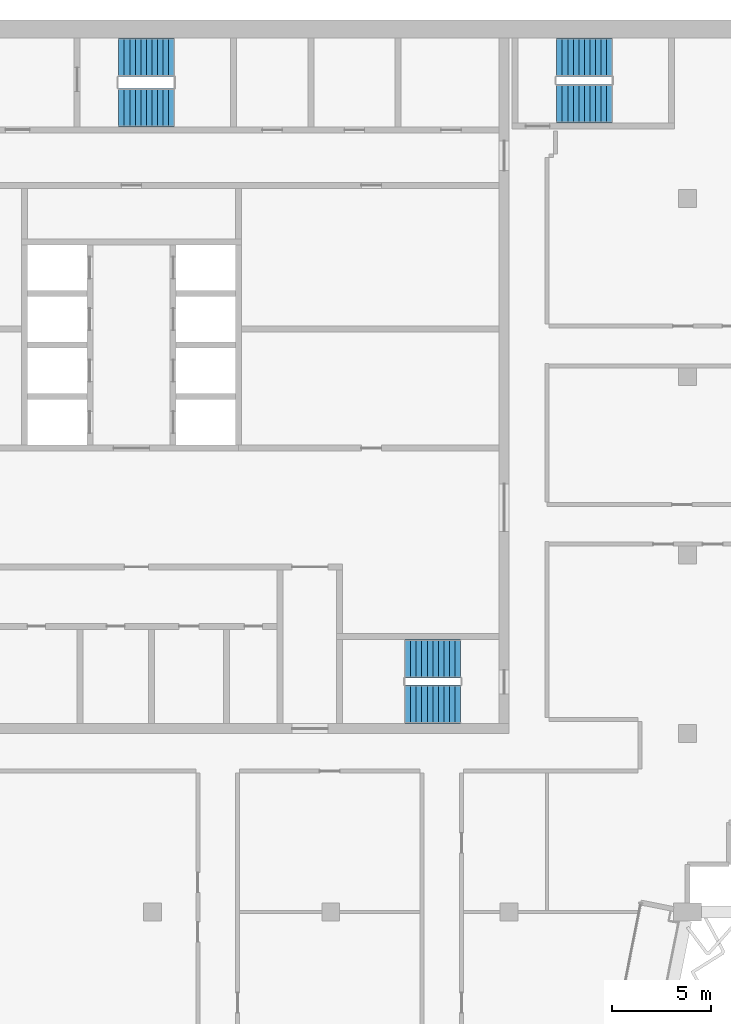
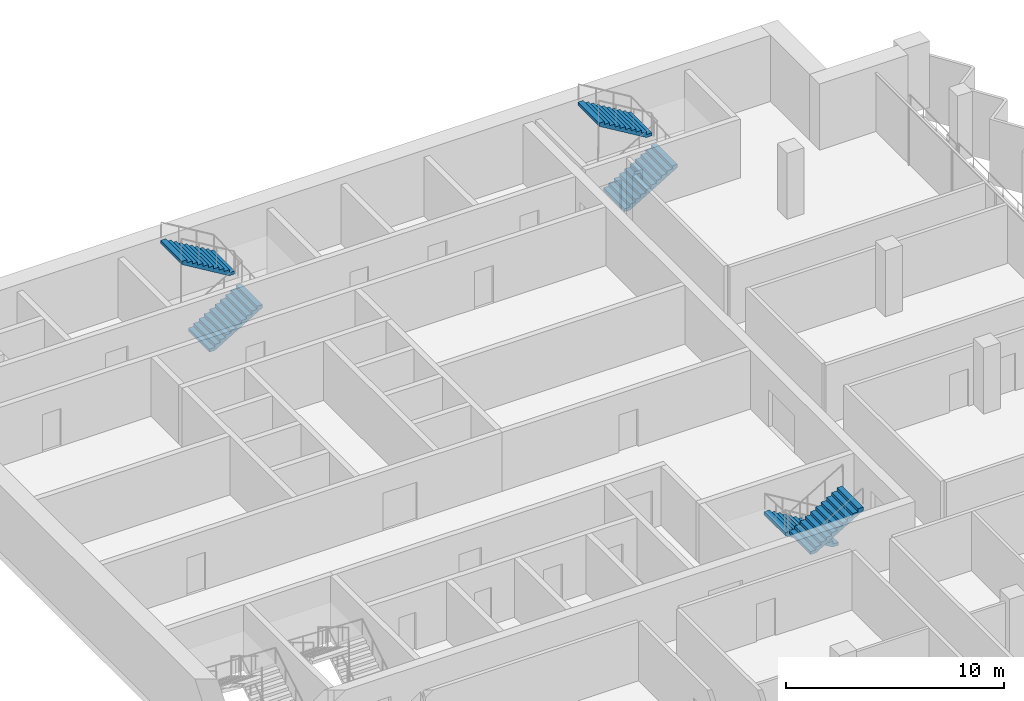
# One storey, part 11 of 14: 6 stair flights, 3 elements without a shape of their own.
"""IFC4 building model written with IfcOpenShell, lengths in metres."""

from ifc_helpers import new_model, si_unit, direction, frame, origin, place, context, subcontext, project, spatial, polyline, outline, extrude, material, type_object, element, aggregate, save


model = new_model("IFC4")

# Units and contexts
model_context = context("Model", 3, precision=1e-05, world=origin(), true_north=direction((0.0, 1.0)))
body_context = subcontext(model_context, "Body", "Model", "MODEL_VIEW")
ifc_project = project(units=[si_unit("LENGTHUNIT", "METRE"), si_unit("AREAUNIT", "SQUARE_METRE"), si_unit("VOLUMEUNIT", "CUBIC_METRE"), si_unit("PLANEANGLEUNIT", "RADIAN"), si_unit("MASSUNIT", "GRAM", prefix="KILO")], contexts=[model_context])

# Site, building, storey
site_placement = place(None, origin())
site = spatial("IfcSite", under=ifc_project, at=site_placement, CompositionType="ELEMENT")
building_placement = place(site_placement, origin())
building = spatial("IfcBuilding", under=site, at=building_placement, Name="Hunhe Ridgeline Campus", CompositionType="ELEMENT")
storey_placement = place(building_placement, frame((0.0, 0.0, 288.199951171875)))
storey = spatial("IfcBuildingStorey", under=building, at=storey_placement, Name="L74", CompositionType="ELEMENT", Elevation=288.199951171875)

# Stair, stair flights
ifc_material = material(Name="Concrete C40", Category="concrete")
stair_type = type_object("IfcStairType", Name="Reinforced concrete dog-leg stair 1950 Concrete C40", PredefinedType="HALF_TURN_STAIR", material=ifc_material)
stair_1_placement = place(storey_placement, origin())
stair_1 = element("IfcStair", 1, at=stair_1_placement, inside=storey, type_object=stair_type, Name="L74 S1", PredefinedType="HALF_TURN_STAIR")
stair_flight_type = type_object("IfcStairFlightType", Name="Reinforced concrete stair flight 1950 Concrete C40", PredefinedType="STRAIGHT", material=ifc_material)
stair_flight_1_placement = place(storey_placement, frame((16.300048828125, 94.574951171875, 0.0), z_axis=(0.0, 0.0, 1.0), x_axis=(1.0, 0.0, 0.0)))
stair_flight_1 = element("IfcStairFlight", 2, at=stair_flight_1_placement, type_object=stair_flight_type, Name="ST1 flight 1", NumberOfRisers=11, NumberOfTreads=10, PredefinedType="STRAIGHT", RiserHeight=0.168181818, TreadLength=0.28, context=body_context, shape_type="SweptSolid", body=[
    extrude(outline(polyline([(0.0, 0.0), (0.0, 0.168212890625), (0.280029296875, 0.168212890625), (0.280029296875, 0.33642578125), (0.56005859375, 0.33642578125), (0.56005859375, 0.504638671875), (0.840087890625, 0.504638671875), (0.840087890625, 0.672607421875), (1.1201171875, 0.672607421875), (1.1201171875, 0.8408203125), (1.39990234375, 0.8408203125), (1.39990234375, 1.009033203125), (1.679931640625, 1.009033203125), (1.679931640625, 1.17724609375), (1.9599609375, 1.17724609375), (1.9599609375, 1.345458984375), (2.239990234375, 1.345458984375), (2.239990234375, 1.513671875), (2.52001953125, 1.513671875), (2.52001953125, 1.681884765625), (2.800048828125, 1.681884765625), (2.800048828125, 1.85009765625), (2.800048828125, 1.5068359375), (0.291015625, 0.0), (0.0, 0.0)])), frame((0.0, 0.97509765625, 0.0), z_axis=(0.0, -1.0, 0.0), x_axis=(1.0, 0.0, 0.0)), (0.0, 0.0, 1.0), 1.949951171875),
    extrude(outline(polyline([(0.030029296875, 0.030029296875), (0.030029296875, 0.13818359375), (0.31005859375, 0.13818359375), (0.31005859375, 0.306396484375), (0.590087890625, 0.306396484375), (0.590087890625, 0.474609375), (0.8701171875, 0.474609375), (0.8701171875, 0.642578125), (1.14990234375, 0.642578125), (1.14990234375, 0.810791015625), (1.429931640625, 0.810791015625), (1.429931640625, 0.97900390625), (1.7099609375, 0.97900390625), (1.7099609375, 1.147216796875), (1.989990234375, 1.147216796875), (1.989990234375, 1.3154296875), (2.27001953125, 1.3154296875), (2.27001953125, 1.483642578125), (2.550048828125, 1.483642578125), (2.550048828125, 1.65185546875), (2.77001953125, 1.65185546875), (2.77001953125, 1.52392578125), (0.28271484375, 0.030029296875), (0.030029296875, 0.030029296875)])), frame((0.0, -0.070068359375, 0.0), z_axis=(0.0, -1.0, 0.0), x_axis=(1.0, 0.0, 0.0)), (0.0, 0.0, 1.0), 0.019775390625),
    extrude(outline(polyline([(0.030029296875, 0.030029296875), (0.030029296875, 0.13818359375), (0.31005859375, 0.13818359375), (0.31005859375, 0.306396484375), (0.590087890625, 0.306396484375), (0.590087890625, 0.474609375), (0.8701171875, 0.474609375), (0.8701171875, 0.642578125), (1.14990234375, 0.642578125), (1.14990234375, 0.810791015625), (1.429931640625, 0.810791015625), (1.429931640625, 0.97900390625), (1.7099609375, 0.97900390625), (1.7099609375, 1.147216796875), (1.989990234375, 1.147216796875), (1.989990234375, 1.3154296875), (2.27001953125, 1.3154296875), (2.27001953125, 1.483642578125), (2.550048828125, 1.483642578125), (2.550048828125, 1.65185546875), (2.77001953125, 1.65185546875), (2.77001953125, 1.52392578125), (0.28271484375, 0.030029296875), (0.030029296875, 0.030029296875)])), frame((0.0, 0.010009765625, 0.0), z_axis=(0.0, -1.0, 0.0), x_axis=(1.0, 0.0, 0.0)), (0.0, 0.0, 1.0), 0.019775390625),
    extrude(outline(polyline([(0.030029296875, 0.030029296875), (0.030029296875, 0.13818359375), (0.31005859375, 0.13818359375), (0.31005859375, 0.306396484375), (0.590087890625, 0.306396484375), (0.590087890625, 0.474609375), (0.8701171875, 0.474609375), (0.8701171875, 0.642578125), (1.14990234375, 0.642578125), (1.14990234375, 0.810791015625), (1.429931640625, 0.810791015625), (1.429931640625, 0.97900390625), (1.7099609375, 0.97900390625), (1.7099609375, 1.147216796875), (1.989990234375, 1.147216796875), (1.989990234375, 1.3154296875), (2.27001953125, 1.3154296875), (2.27001953125, 1.483642578125), (2.550048828125, 1.483642578125), (2.550048828125, 1.65185546875), (2.77001953125, 1.65185546875), (2.77001953125, 1.52392578125), (0.28271484375, 0.030029296875), (0.030029296875, 0.030029296875)])), frame((0.0, 0.090087890625, 0.0), z_axis=(0.0, -1.0, 0.0), x_axis=(1.0, 0.0, 0.0)), (0.0, 0.0, 1.0), 0.019775390625),
])
stair_flight_2_placement = place(storey_placement, frame((19.10009765625, 97.125, 1.85009765625), z_axis=(0.0, 0.0, 1.0), x_axis=(-1.0, 0.0, 0.0)))
stair_flight_2 = element("IfcStairFlight", 3, at=stair_flight_2_placement, type_object=stair_flight_type, Name="ST1 flight 2", NumberOfRisers=11, NumberOfTreads=10, PredefinedType="STRAIGHT", RiserHeight=0.168181818, TreadLength=0.28, context=body_context, shape_type="SweptSolid", body=[
    extrude(outline(polyline([(0.0, 0.0), (0.0, 0.168212890625), (0.280029296875, 0.168212890625), (0.280029296875, 0.33642578125), (0.56005859375, 0.33642578125), (0.56005859375, 0.504638671875), (0.840087890625, 0.504638671875), (0.840087890625, 0.672607421875), (1.1201171875, 0.672607421875), (1.1201171875, 0.8408203125), (1.39990234375, 0.8408203125), (1.39990234375, 1.009033203125), (1.679931640625, 1.009033203125), (1.679931640625, 1.17724609375), (1.9599609375, 1.17724609375), (1.9599609375, 1.345458984375), (2.239990234375, 1.345458984375), (2.239990234375, 1.513671875), (2.52001953125, 1.513671875), (2.52001953125, 1.681884765625), (2.800048828125, 1.681884765625), (2.800048828125, 1.85009765625), (2.800048828125, 1.5068359375), (0.291015625, 0.0), (0.0, 0.0)])), frame((0.0, 0.97509765625, 0.0), z_axis=(0.0, -1.0, 0.0), x_axis=(1.0, 0.0, 0.0)), (0.0, 0.0, 1.0), 1.949951171875),
    extrude(outline(polyline([(0.030029296875, 0.030029296875), (0.030029296875, 0.13818359375), (0.31005859375, 0.13818359375), (0.31005859375, 0.306396484375), (0.590087890625, 0.306396484375), (0.590087890625, 0.474609375), (0.8701171875, 0.474609375), (0.8701171875, 0.642578125), (1.14990234375, 0.642578125), (1.14990234375, 0.810791015625), (1.429931640625, 0.810791015625), (1.429931640625, 0.97900390625), (1.7099609375, 0.97900390625), (1.7099609375, 1.147216796875), (1.989990234375, 1.147216796875), (1.989990234375, 1.3154296875), (2.27001953125, 1.3154296875), (2.27001953125, 1.483642578125), (2.550048828125, 1.483642578125), (2.550048828125, 1.65185546875), (2.77001953125, 1.65185546875), (2.77001953125, 1.52392578125), (0.28271484375, 0.030029296875), (0.030029296875, 0.030029296875)])), frame((0.0, -0.070068359375, 0.0), z_axis=(0.0, -1.0, 0.0), x_axis=(1.0, 0.0, 0.0)), (0.0, 0.0, 1.0), 0.019775390625),
    extrude(outline(polyline([(0.030029296875, 0.030029296875), (0.030029296875, 0.13818359375), (0.31005859375, 0.13818359375), (0.31005859375, 0.306396484375), (0.590087890625, 0.306396484375), (0.590087890625, 0.474609375), (0.8701171875, 0.474609375), (0.8701171875, 0.642578125), (1.14990234375, 0.642578125), (1.14990234375, 0.810791015625), (1.429931640625, 0.810791015625), (1.429931640625, 0.97900390625), (1.7099609375, 0.97900390625), (1.7099609375, 1.147216796875), (1.989990234375, 1.147216796875), (1.989990234375, 1.3154296875), (2.27001953125, 1.3154296875), (2.27001953125, 1.483642578125), (2.550048828125, 1.483642578125), (2.550048828125, 1.65185546875), (2.77001953125, 1.65185546875), (2.77001953125, 1.52392578125), (0.28271484375, 0.030029296875), (0.030029296875, 0.030029296875)])), frame((0.0, 0.010009765625, 0.0), z_axis=(0.0, -1.0, 0.0), x_axis=(1.0, 0.0, 0.0)), (0.0, 0.0, 1.0), 0.019775390625),
    extrude(outline(polyline([(0.030029296875, 0.030029296875), (0.030029296875, 0.13818359375), (0.31005859375, 0.13818359375), (0.31005859375, 0.306396484375), (0.590087890625, 0.306396484375), (0.590087890625, 0.474609375), (0.8701171875, 0.474609375), (0.8701171875, 0.642578125), (1.14990234375, 0.642578125), (1.14990234375, 0.810791015625), (1.429931640625, 0.810791015625), (1.429931640625, 0.97900390625), (1.7099609375, 0.97900390625), (1.7099609375, 1.147216796875), (1.989990234375, 1.147216796875), (1.989990234375, 1.3154296875), (2.27001953125, 1.3154296875), (2.27001953125, 1.483642578125), (2.550048828125, 1.483642578125), (2.550048828125, 1.65185546875), (2.77001953125, 1.65185546875), (2.77001953125, 1.52392578125), (0.28271484375, 0.030029296875), (0.030029296875, 0.030029296875)])), frame((0.0, 0.090087890625, 0.0), z_axis=(0.0, -1.0, 0.0), x_axis=(1.0, 0.0, 0.0)), (0.0, 0.0, 1.0), 0.019775390625),
])
aggregate(stair_1, [stair_flight_1, stair_flight_2])

stair_2_placement = place(storey_placement, origin())
stair_2 = element("IfcStair", 4, at=stair_2_placement, inside=storey, type_object=stair_type, Name="L74 S2", PredefinedType="HALF_TURN_STAIR")
stair_flight_3_placement = place(storey_placement, frame((33.550048828125, 66.77490234375, 0.0), z_axis=(0.0, 0.0, 1.0), x_axis=(-1.0, 0.0, 0.0)))
stair_flight_3 = element("IfcStairFlight", 5, at=stair_flight_3_placement, type_object=stair_flight_type, Name="ST2 flight 1", NumberOfRisers=11, NumberOfTreads=10, PredefinedType="STRAIGHT", RiserHeight=0.168181818, TreadLength=0.28, context=body_context, shape_type="SweptSolid", body=[
    extrude(outline(polyline([(0.0, 0.0), (0.0, 0.168212890625), (0.280029296875, 0.168212890625), (0.280029296875, 0.33642578125), (0.56005859375, 0.33642578125), (0.56005859375, 0.504638671875), (0.840087890625, 0.504638671875), (0.840087890625, 0.672607421875), (1.1201171875, 0.672607421875), (1.1201171875, 0.8408203125), (1.39990234375, 0.8408203125), (1.39990234375, 1.009033203125), (1.679931640625, 1.009033203125), (1.679931640625, 1.17724609375), (1.9599609375, 1.17724609375), (1.9599609375, 1.345458984375), (2.239990234375, 1.345458984375), (2.239990234375, 1.513671875), (2.52001953125, 1.513671875), (2.52001953125, 1.681884765625), (2.800048828125, 1.681884765625), (2.800048828125, 1.85009765625), (2.800048828125, 1.5068359375), (0.291015625, 0.0), (0.0, 0.0)])), frame((0.0, 0.97509765625, 0.0), z_axis=(0.0, -1.0, 0.0), x_axis=(1.0, 0.0, 0.0)), (0.0, 0.0, 1.0), 1.949951171875),
    extrude(outline(polyline([(0.030029296875, 0.030029296875), (0.030029296875, 0.13818359375), (0.31005859375, 0.13818359375), (0.31005859375, 0.306396484375), (0.590087890625, 0.306396484375), (0.590087890625, 0.474609375), (0.8701171875, 0.474609375), (0.8701171875, 0.642578125), (1.14990234375, 0.642578125), (1.14990234375, 0.810791015625), (1.429931640625, 0.810791015625), (1.429931640625, 0.97900390625), (1.7099609375, 0.97900390625), (1.7099609375, 1.147216796875), (1.989990234375, 1.147216796875), (1.989990234375, 1.3154296875), (2.27001953125, 1.3154296875), (2.27001953125, 1.483642578125), (2.550048828125, 1.483642578125), (2.550048828125, 1.65185546875), (2.77001953125, 1.65185546875), (2.77001953125, 1.52392578125), (0.28271484375, 0.030029296875), (0.030029296875, 0.030029296875)])), frame((0.0, -0.070068359375, 0.0), z_axis=(0.0, -1.0, 0.0), x_axis=(1.0, 0.0, 0.0)), (0.0, 0.0, 1.0), 0.019775390625),
    extrude(outline(polyline([(0.030029296875, 0.030029296875), (0.030029296875, 0.13818359375), (0.31005859375, 0.13818359375), (0.31005859375, 0.306396484375), (0.590087890625, 0.306396484375), (0.590087890625, 0.474609375), (0.8701171875, 0.474609375), (0.8701171875, 0.642578125), (1.14990234375, 0.642578125), (1.14990234375, 0.810791015625), (1.429931640625, 0.810791015625), (1.429931640625, 0.97900390625), (1.7099609375, 0.97900390625), (1.7099609375, 1.147216796875), (1.989990234375, 1.147216796875), (1.989990234375, 1.3154296875), (2.27001953125, 1.3154296875), (2.27001953125, 1.483642578125), (2.550048828125, 1.483642578125), (2.550048828125, 1.65185546875), (2.77001953125, 1.65185546875), (2.77001953125, 1.52392578125), (0.28271484375, 0.030029296875), (0.030029296875, 0.030029296875)])), frame((0.0, 0.010009765625, 0.0), z_axis=(0.0, -1.0, 0.0), x_axis=(1.0, 0.0, 0.0)), (0.0, 0.0, 1.0), 0.019775390625),
    extrude(outline(polyline([(0.030029296875, 0.030029296875), (0.030029296875, 0.13818359375), (0.31005859375, 0.13818359375), (0.31005859375, 0.306396484375), (0.590087890625, 0.306396484375), (0.590087890625, 0.474609375), (0.8701171875, 0.474609375), (0.8701171875, 0.642578125), (1.14990234375, 0.642578125), (1.14990234375, 0.810791015625), (1.429931640625, 0.810791015625), (1.429931640625, 0.97900390625), (1.7099609375, 0.97900390625), (1.7099609375, 1.147216796875), (1.989990234375, 1.147216796875), (1.989990234375, 1.3154296875), (2.27001953125, 1.3154296875), (2.27001953125, 1.483642578125), (2.550048828125, 1.483642578125), (2.550048828125, 1.65185546875), (2.77001953125, 1.65185546875), (2.77001953125, 1.52392578125), (0.28271484375, 0.030029296875), (0.030029296875, 0.030029296875)])), frame((0.0, 0.090087890625, 0.0), z_axis=(0.0, -1.0, 0.0), x_axis=(1.0, 0.0, 0.0)), (0.0, 0.0, 1.0), 0.019775390625),
])
stair_flight_4_placement = place(storey_placement, frame((30.75, 64.47509765625, 1.85009765625), z_axis=(0.0, 0.0, 1.0), x_axis=(1.0, 0.0, 0.0)))
stair_flight_4 = element("IfcStairFlight", 6, at=stair_flight_4_placement, type_object=stair_flight_type, Name="ST2 flight 2", NumberOfRisers=11, NumberOfTreads=10, PredefinedType="STRAIGHT", RiserHeight=0.168181818, TreadLength=0.28, context=body_context, shape_type="SweptSolid", body=[
    extrude(outline(polyline([(0.0, 0.0), (0.0, 0.168212890625), (0.280029296875, 0.168212890625), (0.280029296875, 0.33642578125), (0.56005859375, 0.33642578125), (0.56005859375, 0.504638671875), (0.840087890625, 0.504638671875), (0.840087890625, 0.672607421875), (1.1201171875, 0.672607421875), (1.1201171875, 0.8408203125), (1.39990234375, 0.8408203125), (1.39990234375, 1.009033203125), (1.679931640625, 1.009033203125), (1.679931640625, 1.17724609375), (1.9599609375, 1.17724609375), (1.9599609375, 1.345458984375), (2.239990234375, 1.345458984375), (2.239990234375, 1.513671875), (2.52001953125, 1.513671875), (2.52001953125, 1.681884765625), (2.800048828125, 1.681884765625), (2.800048828125, 1.85009765625), (2.800048828125, 1.5068359375), (0.291015625, 0.0), (0.0, 0.0)])), frame((0.0, 0.97509765625, 0.0), z_axis=(0.0, -1.0, 0.0), x_axis=(1.0, 0.0, 0.0)), (0.0, 0.0, 1.0), 1.949951171875),
    extrude(outline(polyline([(0.030029296875, 0.030029296875), (0.030029296875, 0.13818359375), (0.31005859375, 0.13818359375), (0.31005859375, 0.306396484375), (0.590087890625, 0.306396484375), (0.590087890625, 0.474609375), (0.8701171875, 0.474609375), (0.8701171875, 0.642578125), (1.14990234375, 0.642578125), (1.14990234375, 0.810791015625), (1.429931640625, 0.810791015625), (1.429931640625, 0.97900390625), (1.7099609375, 0.97900390625), (1.7099609375, 1.147216796875), (1.989990234375, 1.147216796875), (1.989990234375, 1.3154296875), (2.27001953125, 1.3154296875), (2.27001953125, 1.483642578125), (2.550048828125, 1.483642578125), (2.550048828125, 1.65185546875), (2.77001953125, 1.65185546875), (2.77001953125, 1.52392578125), (0.28271484375, 0.030029296875), (0.030029296875, 0.030029296875)])), frame((0.0, -0.070068359375, 0.0), z_axis=(0.0, -1.0, 0.0), x_axis=(1.0, 0.0, 0.0)), (0.0, 0.0, 1.0), 0.019775390625),
    extrude(outline(polyline([(0.030029296875, 0.030029296875), (0.030029296875, 0.13818359375), (0.31005859375, 0.13818359375), (0.31005859375, 0.306396484375), (0.590087890625, 0.306396484375), (0.590087890625, 0.474609375), (0.8701171875, 0.474609375), (0.8701171875, 0.642578125), (1.14990234375, 0.642578125), (1.14990234375, 0.810791015625), (1.429931640625, 0.810791015625), (1.429931640625, 0.97900390625), (1.7099609375, 0.97900390625), (1.7099609375, 1.147216796875), (1.989990234375, 1.147216796875), (1.989990234375, 1.3154296875), (2.27001953125, 1.3154296875), (2.27001953125, 1.483642578125), (2.550048828125, 1.483642578125), (2.550048828125, 1.65185546875), (2.77001953125, 1.65185546875), (2.77001953125, 1.52392578125), (0.28271484375, 0.030029296875), (0.030029296875, 0.030029296875)])), frame((0.0, 0.010009765625, 0.0), z_axis=(0.0, -1.0, 0.0), x_axis=(1.0, 0.0, 0.0)), (0.0, 0.0, 1.0), 0.019775390625),
    extrude(outline(polyline([(0.030029296875, 0.030029296875), (0.030029296875, 0.13818359375), (0.31005859375, 0.13818359375), (0.31005859375, 0.306396484375), (0.590087890625, 0.306396484375), (0.590087890625, 0.474609375), (0.8701171875, 0.474609375), (0.8701171875, 0.642578125), (1.14990234375, 0.642578125), (1.14990234375, 0.810791015625), (1.429931640625, 0.810791015625), (1.429931640625, 0.97900390625), (1.7099609375, 0.97900390625), (1.7099609375, 1.147216796875), (1.989990234375, 1.147216796875), (1.989990234375, 1.3154296875), (2.27001953125, 1.3154296875), (2.27001953125, 1.483642578125), (2.550048828125, 1.483642578125), (2.550048828125, 1.65185546875), (2.77001953125, 1.65185546875), (2.77001953125, 1.52392578125), (0.28271484375, 0.030029296875), (0.030029296875, 0.030029296875)])), frame((0.0, 0.090087890625, 0.0), z_axis=(0.0, -1.0, 0.0), x_axis=(1.0, 0.0, 0.0)), (0.0, 0.0, 1.0), 0.019775390625),
])
aggregate(stair_2, [stair_flight_3, stair_flight_4])

stair_3_placement = place(storey_placement, origin())
stair_3 = element("IfcStair", 7, at=stair_3_placement, inside=storey, type_object=stair_type, Name="L74 E1", PredefinedType="HALF_TURN_STAIR")
stair_flight_5_placement = place(storey_placement, frame((38.39990234375, 94.77490234375, 0.0), z_axis=(0.0, 0.0, 1.0), x_axis=(1.0, 0.0, 0.0)))
stair_flight_5 = element("IfcStairFlight", 8, at=stair_flight_5_placement, type_object=stair_flight_type, Name="ST5 flight 1", NumberOfRisers=11, NumberOfTreads=10, PredefinedType="STRAIGHT", RiserHeight=0.168181818, TreadLength=0.28, context=body_context, shape_type="SweptSolid", body=[
    extrude(outline(polyline([(0.0, 0.0), (0.0, 0.168212890625), (0.280029296875, 0.168212890625), (0.280029296875, 0.33642578125), (0.56005859375, 0.33642578125), (0.56005859375, 0.504638671875), (0.840087890625, 0.504638671875), (0.840087890625, 0.672607421875), (1.1201171875, 0.672607421875), (1.1201171875, 0.8408203125), (1.39990234375, 0.8408203125), (1.39990234375, 1.009033203125), (1.679931640625, 1.009033203125), (1.679931640625, 1.17724609375), (1.9599609375, 1.17724609375), (1.9599609375, 1.345458984375), (2.239990234375, 1.345458984375), (2.239990234375, 1.513671875), (2.52001953125, 1.513671875), (2.52001953125, 1.681884765625), (2.800048828125, 1.681884765625), (2.800048828125, 1.85009765625), (2.800048828125, 1.5068359375), (0.291015625, 0.0), (0.0, 0.0)])), frame((0.0, 0.97509765625, 0.0), z_axis=(0.0, -1.0, 0.0), x_axis=(1.0, 0.0, 0.0)), (0.0, 0.0, 1.0), 1.949951171875),
    extrude(outline(polyline([(0.030029296875, 0.030029296875), (0.030029296875, 0.13818359375), (0.31005859375, 0.13818359375), (0.31005859375, 0.306396484375), (0.590087890625, 0.306396484375), (0.590087890625, 0.474609375), (0.8701171875, 0.474609375), (0.8701171875, 0.642578125), (1.14990234375, 0.642578125), (1.14990234375, 0.810791015625), (1.429931640625, 0.810791015625), (1.429931640625, 0.97900390625), (1.7099609375, 0.97900390625), (1.7099609375, 1.147216796875), (1.989990234375, 1.147216796875), (1.989990234375, 1.3154296875), (2.27001953125, 1.3154296875), (2.27001953125, 1.483642578125), (2.550048828125, 1.483642578125), (2.550048828125, 1.65185546875), (2.77001953125, 1.65185546875), (2.77001953125, 1.52392578125), (0.28271484375, 0.030029296875), (0.030029296875, 0.030029296875)])), frame((0.0, -0.070068359375, 0.0), z_axis=(0.0, -1.0, 0.0), x_axis=(1.0, 0.0, 0.0)), (0.0, 0.0, 1.0), 0.019775390625),
    extrude(outline(polyline([(0.030029296875, 0.030029296875), (0.030029296875, 0.13818359375), (0.31005859375, 0.13818359375), (0.31005859375, 0.306396484375), (0.590087890625, 0.306396484375), (0.590087890625, 0.474609375), (0.8701171875, 0.474609375), (0.8701171875, 0.642578125), (1.14990234375, 0.642578125), (1.14990234375, 0.810791015625), (1.429931640625, 0.810791015625), (1.429931640625, 0.97900390625), (1.7099609375, 0.97900390625), (1.7099609375, 1.147216796875), (1.989990234375, 1.147216796875), (1.989990234375, 1.3154296875), (2.27001953125, 1.3154296875), (2.27001953125, 1.483642578125), (2.550048828125, 1.483642578125), (2.550048828125, 1.65185546875), (2.77001953125, 1.65185546875), (2.77001953125, 1.52392578125), (0.28271484375, 0.030029296875), (0.030029296875, 0.030029296875)])), frame((0.0, 0.010009765625, 0.0), z_axis=(0.0, -1.0, 0.0), x_axis=(1.0, 0.0, 0.0)), (0.0, 0.0, 1.0), 0.019775390625),
    extrude(outline(polyline([(0.030029296875, 0.030029296875), (0.030029296875, 0.13818359375), (0.31005859375, 0.13818359375), (0.31005859375, 0.306396484375), (0.590087890625, 0.306396484375), (0.590087890625, 0.474609375), (0.8701171875, 0.474609375), (0.8701171875, 0.642578125), (1.14990234375, 0.642578125), (1.14990234375, 0.810791015625), (1.429931640625, 0.810791015625), (1.429931640625, 0.97900390625), (1.7099609375, 0.97900390625), (1.7099609375, 1.147216796875), (1.989990234375, 1.147216796875), (1.989990234375, 1.3154296875), (2.27001953125, 1.3154296875), (2.27001953125, 1.483642578125), (2.550048828125, 1.483642578125), (2.550048828125, 1.65185546875), (2.77001953125, 1.65185546875), (2.77001953125, 1.52392578125), (0.28271484375, 0.030029296875), (0.030029296875, 0.030029296875)])), frame((0.0, 0.090087890625, 0.0), z_axis=(0.0, -1.0, 0.0), x_axis=(1.0, 0.0, 0.0)), (0.0, 0.0, 1.0), 0.019775390625),
])
stair_flight_6_placement = place(storey_placement, frame((41.199951171875, 97.125, 1.85009765625), z_axis=(0.0, 0.0, 1.0), x_axis=(-1.0, 0.0, 0.0)))
stair_flight_6 = element("IfcStairFlight", 9, at=stair_flight_6_placement, type_object=stair_flight_type, Name="ST5 flight 2", NumberOfRisers=11, NumberOfTreads=10, PredefinedType="STRAIGHT", RiserHeight=0.168181818, TreadLength=0.28, context=body_context, shape_type="SweptSolid", body=[
    extrude(outline(polyline([(0.0, 0.0), (0.0, 0.168212890625), (0.280029296875, 0.168212890625), (0.280029296875, 0.33642578125), (0.56005859375, 0.33642578125), (0.56005859375, 0.504638671875), (0.840087890625, 0.504638671875), (0.840087890625, 0.672607421875), (1.1201171875, 0.672607421875), (1.1201171875, 0.8408203125), (1.39990234375, 0.8408203125), (1.39990234375, 1.009033203125), (1.679931640625, 1.009033203125), (1.679931640625, 1.17724609375), (1.9599609375, 1.17724609375), (1.9599609375, 1.345458984375), (2.239990234375, 1.345458984375), (2.239990234375, 1.513671875), (2.52001953125, 1.513671875), (2.52001953125, 1.681884765625), (2.800048828125, 1.681884765625), (2.800048828125, 1.85009765625), (2.800048828125, 1.5068359375), (0.291015625, 0.0), (0.0, 0.0)])), frame((0.0, 0.97509765625, 0.0), z_axis=(0.0, -1.0, 0.0), x_axis=(1.0, 0.0, 0.0)), (0.0, 0.0, 1.0), 1.949951171875),
    extrude(outline(polyline([(0.030029296875, 0.030029296875), (0.030029296875, 0.13818359375), (0.31005859375, 0.13818359375), (0.31005859375, 0.306396484375), (0.590087890625, 0.306396484375), (0.590087890625, 0.474609375), (0.8701171875, 0.474609375), (0.8701171875, 0.642578125), (1.14990234375, 0.642578125), (1.14990234375, 0.810791015625), (1.429931640625, 0.810791015625), (1.429931640625, 0.97900390625), (1.7099609375, 0.97900390625), (1.7099609375, 1.147216796875), (1.989990234375, 1.147216796875), (1.989990234375, 1.3154296875), (2.27001953125, 1.3154296875), (2.27001953125, 1.483642578125), (2.550048828125, 1.483642578125), (2.550048828125, 1.65185546875), (2.77001953125, 1.65185546875), (2.77001953125, 1.52392578125), (0.28271484375, 0.030029296875), (0.030029296875, 0.030029296875)])), frame((0.0, -0.070068359375, 0.0), z_axis=(0.0, -1.0, 0.0), x_axis=(1.0, 0.0, 0.0)), (0.0, 0.0, 1.0), 0.019775390625),
    extrude(outline(polyline([(0.030029296875, 0.030029296875), (0.030029296875, 0.13818359375), (0.31005859375, 0.13818359375), (0.31005859375, 0.306396484375), (0.590087890625, 0.306396484375), (0.590087890625, 0.474609375), (0.8701171875, 0.474609375), (0.8701171875, 0.642578125), (1.14990234375, 0.642578125), (1.14990234375, 0.810791015625), (1.429931640625, 0.810791015625), (1.429931640625, 0.97900390625), (1.7099609375, 0.97900390625), (1.7099609375, 1.147216796875), (1.989990234375, 1.147216796875), (1.989990234375, 1.3154296875), (2.27001953125, 1.3154296875), (2.27001953125, 1.483642578125), (2.550048828125, 1.483642578125), (2.550048828125, 1.65185546875), (2.77001953125, 1.65185546875), (2.77001953125, 1.52392578125), (0.28271484375, 0.030029296875), (0.030029296875, 0.030029296875)])), frame((0.0, 0.010009765625, 0.0), z_axis=(0.0, -1.0, 0.0), x_axis=(1.0, 0.0, 0.0)), (0.0, 0.0, 1.0), 0.019775390625),
    extrude(outline(polyline([(0.030029296875, 0.030029296875), (0.030029296875, 0.13818359375), (0.31005859375, 0.13818359375), (0.31005859375, 0.306396484375), (0.590087890625, 0.306396484375), (0.590087890625, 0.474609375), (0.8701171875, 0.474609375), (0.8701171875, 0.642578125), (1.14990234375, 0.642578125), (1.14990234375, 0.810791015625), (1.429931640625, 0.810791015625), (1.429931640625, 0.97900390625), (1.7099609375, 0.97900390625), (1.7099609375, 1.147216796875), (1.989990234375, 1.147216796875), (1.989990234375, 1.3154296875), (2.27001953125, 1.3154296875), (2.27001953125, 1.483642578125), (2.550048828125, 1.483642578125), (2.550048828125, 1.65185546875), (2.77001953125, 1.65185546875), (2.77001953125, 1.52392578125), (0.28271484375, 0.030029296875), (0.030029296875, 0.030029296875)])), frame((0.0, 0.090087890625, 0.0), z_axis=(0.0, -1.0, 0.0), x_axis=(1.0, 0.0, 0.0)), (0.0, 0.0, 1.0), 0.019775390625),
])
aggregate(stair_3, [stair_flight_5, stair_flight_6])

save(model, "model.ifc")
